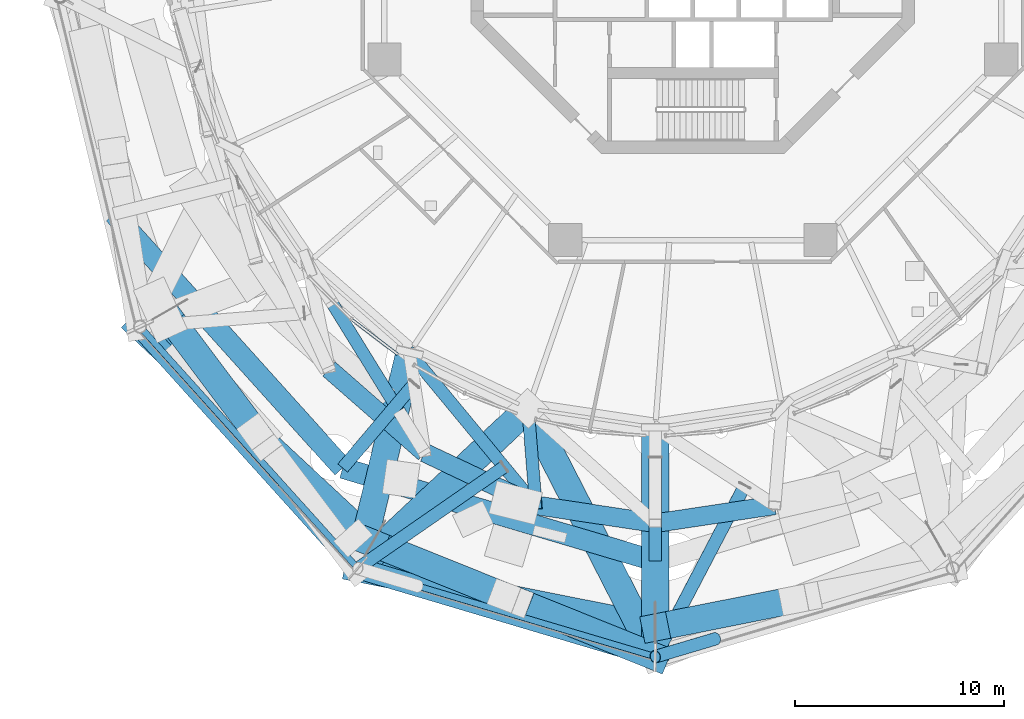
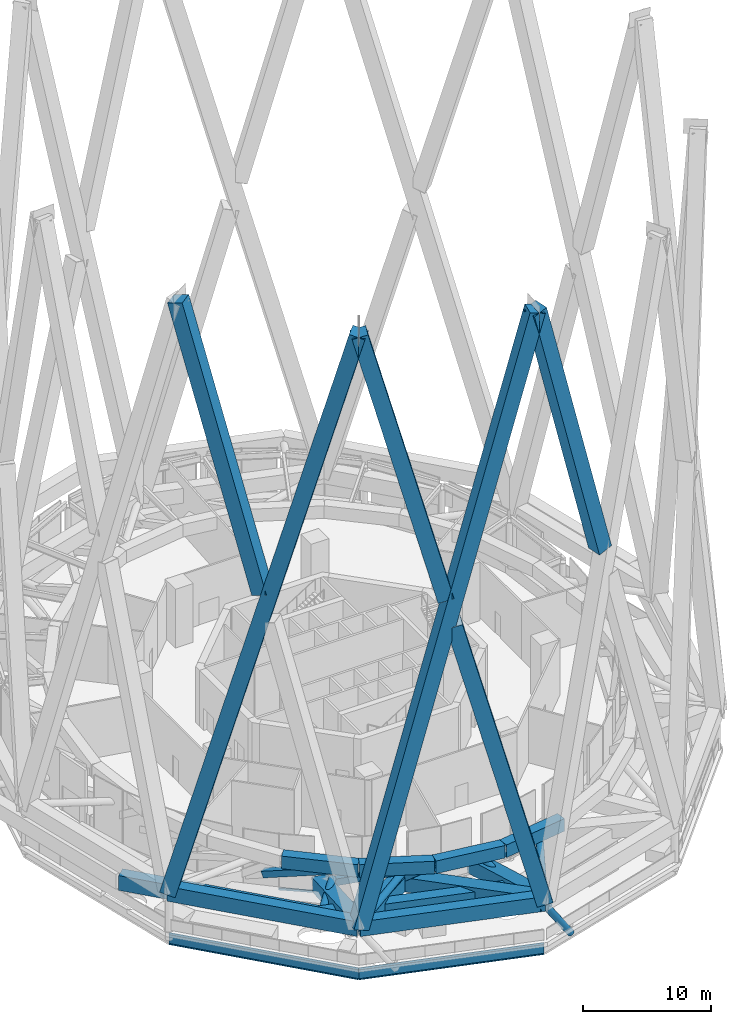
# One storey, part 2 of 48: 20 members, 9 beams, 1 element without a shape of its own.
"""IFC4 building model written with IfcOpenShell, lengths in metres."""

from ifc_helpers import new_model, si_unit, direction, frame, origin, origin_2d, place, context, subcontext, project, spatial, rectangle, hollow_rectangle, hollow_circle, i_section, extrude, material, layer, layer_set, material_profile, profile_set, type_object, element, aggregate, save


model = new_model("IFC4")

# Units and contexts
model_context = context("Model", 3, precision=1e-05, world=origin(), true_north=direction((0.0, 1.0)))
body_context = subcontext(model_context, "Body", "Model", "MODEL_VIEW")
ifc_project = project(units=[si_unit("LENGTHUNIT", "METRE"), si_unit("AREAUNIT", "SQUARE_METRE"), si_unit("VOLUMEUNIT", "CUBIC_METRE"), si_unit("PLANEANGLEUNIT", "RADIAN"), si_unit("MASSUNIT", "GRAM", prefix="KILO")], contexts=[model_context])

# Site, building, storey
site_placement = place(None, origin())
site = spatial("IfcSite", under=ifc_project, at=site_placement, CompositionType="ELEMENT")
building_placement = place(site_placement, origin())
building = spatial("IfcBuilding", under=site, at=building_placement, Name="Nagisa Residences", CompositionType="ELEMENT")
storey_placement = place(building_placement, frame((0.0, 0.0, 252.89990234375)))
storey = spatial("IfcBuildingStorey", under=building, at=storey_placement, Name="L64", CompositionType="ELEMENT", Elevation=252.89990234375)

# Beams
ifc_material_1 = material(Name="Steel ASTM A572 Gr 50", Category="steel")
ifc_material_profile_1 = material_profile(ifc_material_1, hollow_rectangle(XDim=0.89990234375, YDim=1.199951171875, WallThickness=0.0400390625, at=origin_2d()), Name="BX 900x1200x40")
ifc_profile_set_1 = profile_set([ifc_material_profile_1], Name="Steel ASTM A572 Gr 50")
beam_type_1 = type_object("IfcBeamType", Name="Belt chord 5 BX 900x1200x40", PredefinedType="BEAM", material=ifc_profile_set_1)
beam_1_placement = place(storey_placement, frame((-17.441162109375, -20.965087890625, 4.739990234375), z_axis=(0.752368013949, -0.658743023938, 0.0), x_axis=(0.658743023938, 0.752368013949, 0.0)))
element("IfcBeam", 1, at=beam_1_placement, inside=storey, type_object=beam_type_1, Name="beam:L64:bt5t16", PredefinedType="BEAM", context=body_context, shape_type="SweptSolid", body=[
    extrude(hollow_rectangle(XDim=0.89990234375, YDim=1.199951171875, WallThickness=0.0400390625, at=origin_2d()), origin(), (0.0, 0.0, 1.0), 6.0888671875),
])
beam_2_placement = place(storey_placement, frame((-12.860107421875, -24.97607421875, 4.739990234375), z_axis=(0.904104817547, -0.427310752134, 0.0), x_axis=(0.427310752134, 0.904104817547, 0.0)))
element("IfcBeam", 2, at=beam_2_placement, inside=storey, type_object=beam_type_1, Name="beam:L64:bt5t17", PredefinedType="BEAM", context=body_context, shape_type="SweptSolid", body=[
    extrude(hollow_rectangle(XDim=0.89990234375, YDim=1.199951171875, WallThickness=0.0400390625, at=origin_2d()), origin(), (0.0, 0.0, 1.0), 5.90087890625),
])
for number, where, z_axis, x_axis, name in (
    (3, (-7.525146484375, -27.49755859375, 4.739990234375), (0.988902301615, -0.148567283948, 0.0), (0.148567283948, 0.988902301615, 0.0), "beam:L64:bt5t18"),
    (4, (-1.800048828125, -28.357666015625, 4.739990234375), (0.988902301615, 0.148567283948, 0.0), (-0.148567283948, 0.988902301615, 0.0), "beam:L64:bt5t19"),
):
    element("IfcBeam", number, at=place(storey_placement, frame(where, z_axis=z_axis, x_axis=x_axis)), inside=storey, type_object=beam_type_1, Name=name, PredefinedType="BEAM", context=body_context, shape_type="SweptSolid", body=[
        extrude(hollow_rectangle(XDim=0.89990234375, YDim=1.199951171875, WallThickness=0.0400390625, at=origin_2d()), origin(), (0.0, 0.0, 1.0), 5.789306640625),
    ])
ifc_material_2 = material(Name="Steel ASTM A572 Gr 50", Category="steel")
ifc_material_profile_2 = material_profile(ifc_material_2, hollow_rectangle(XDim=0.60009765625, YDim=0.60009765625, WallThickness=0.034912109375, at=origin_2d()), Name="BX 600x600x35")
ifc_profile_set_2 = profile_set([ifc_material_profile_2], Name="Steel ASTM A572 Gr 50")
beam_type_2 = type_object("IfcBeamType", Name="Belt diagonal 5 BX 600x600x35", PredefinedType="BEAM", material=ifc_profile_set_2)
beam_3_placement = place(storey_placement, frame((-17.288330078125, -17.804443359375, 1.47021484375), z_axis=(0.489826562539, -0.793259272015, 0.361676189421), x_axis=(0.850859227375, 0.52539373349, 0.0)))
element("IfcBeam", 5, at=beam_3_placement, inside=storey, type_object=beam_type_2, Name="beam:L64:bt5db16", PredefinedType="BEAM", context=body_context, shape_type="SweptSolid", body=[
    extrude(hollow_rectangle(XDim=0.60009765625, YDim=0.60009765625, WallThickness=0.034912109375, at=origin_2d()), origin(), (0.0, 0.0, 1.0), 6.635498046875),
])
beam_4_placement = place(storey_placement, frame((-13.5849609375, -20.169677734375, 0.60009765625), z_axis=(0.584303072687, -0.70657333414, 0.399179211295), x_axis=(0.770633875506, 0.637278141727, 0.0)))
element("IfcBeam", 6, at=beam_4_placement, inside=storey, type_object=beam_type_2, Name="beam:L64:bt5db17", PredefinedType="BEAM", context=body_context, shape_type="SweptSolid", body=[
    extrude(hollow_rectangle(XDim=0.60009765625, YDim=0.60009765625, WallThickness=0.034912109375, at=origin_2d()), origin(), (0.0, 0.0, 1.0), 10.37109375),
])
beam_5_placement = place(storey_placement, frame((-7.900390625, -22.85595703125, 0.60009765625), z_axis=(0.060223205926, -0.744934021511, 0.664414380536), x_axis=(0.99674808141, 0.080580780619, 0.0)))
element("IfcBeam", 7, at=beam_5_placement, inside=storey, type_object=beam_type_2, Name="beam:L64:bt5da18", PredefinedType="BEAM", context=body_context, shape_type="SweptSolid", body=[
    extrude(hollow_rectangle(XDim=0.60009765625, YDim=0.60009765625, WallThickness=0.034912109375, at=origin_2d()), origin(), (0.0, 0.0, 1.0), 6.23095703125),
])

# Curtain wall, member
ifc_material_3 = material(Name="Aluminium curtain wall system", Category="aluminium")
ifc_layer = layer(ifc_material_3, 0.159912109375)
ifc_layer_set = layer_set([ifc_layer], Name="CW2 CURTAIN WALL")
curtain_wall_type = type_object("IfcCurtainWallType", Name="CW2 CURTAIN WALL", PredefinedType="NOTDEFINED", material=ifc_layer_set)
curtain_wall_placement = place(storey_placement, origin())
curtain_wall = element("IfcCurtainWall", 8, at=curtain_wall_placement, inside=storey, type_object=curtain_wall_type, Name="cw:CW2:L64:31", PredefinedType="NOTDEFINED")
ifc_material_4 = material(Name="Aluminium", Category="aluminium")
ifc_material_profile_3 = material_profile(ifc_material_4, rectangle(XDim=0.139892578125, YDim=0.179931640625, at=origin_2d()), Name="CW2 TRANSOM 140x180")
ifc_profile_set_3 = profile_set([ifc_material_profile_3], Name="Aluminium")
member_type_1 = type_object("IfcMemberType", Name="CW2 TRANSOM 140x180", PredefinedType="USERDEFINED", material=ifc_profile_set_3)
member_1_placement = place(storey_placement, frame((-16.404541015625, -18.548583984375, 0.090087890625), z_axis=(0.796061088035, -0.605216278793, 0.0), x_axis=(0.605216278793, 0.796061088035, 0.0)))
member_1 = element("IfcMember", 9, at=member_1_placement, type_object=member_type_1, Name="CW2 transom", ObjectType="TRANSOM", PredefinedType="USERDEFINED", context=body_context, shape_type="SweptSolid", body=[
    extrude(rectangle(XDim=0.139892578125, YDim=0.179931640625, at=origin_2d()), origin(), (0.0, 0.0, 1.0), 2.838623046875),
])
aggregate(curtain_wall, [member_1])

# Members
ifc_material_5 = material(Name="Concrete C80", Category="concrete")
ifc_material_profile_4 = material_profile(ifc_material_5, rectangle(XDim=1.300048828125, YDim=1.300048828125, at=origin_2d()), Name="C80 1300x1300")
ifc_profile_set_4 = profile_set([ifc_material_profile_4], Name="Concrete C80")
member_type_2 = type_object("IfcMemberType", Name="Cage bracket 6 C80 1300x1300", PredefinedType="BRACE", material=ifc_profile_set_4)
member_2_placement = place(storey_placement, frame((-16.06005859375, -30.518798828125, 3.7001953125), z_axis=(0.223316405929, 0.933752460773, -0.279707212713), x_axis=(-0.972572347723, 0.232600577052, 0.0)))
element("IfcMember", 10, at=member_2_placement, inside=storey, type_object=member_type_2, Name="mem:L64:cg5ob03", PredefinedType="BRACE", context=body_context, shape_type="SweptSolid", body=[
    extrude(rectangle(XDim=1.300048828125, YDim=1.300048828125, at=origin_2d()), origin(), (0.0, 0.0, 1.0), 11.083251953125),
])
member_3_placement = place(storey_placement, frame((-16.06005859375, -30.518798828125, 3.7001953125), z_axis=(0.702506790342, 0.659732530323, -0.2669029748), x_axis=(-0.684566263154, 0.728950637115, 0.0)))
element("IfcMember", 11, at=member_3_placement, inside=storey, type_object=member_type_2, Name="mem:L64:cg5ob04", PredefinedType="BRACE", context=body_context, shape_type="SweptSolid", body=[
    extrude(rectangle(XDim=1.300048828125, YDim=1.300048828125, at=origin_2d()), origin(), (0.0, 0.0, 1.0), 11.614990234375),
])
member_4_placement = place(storey_placement, frame((-1.800048828125, -34.7578125, 3.7001953125), z_axis=(0.0, 0.962413129864, -0.271589704269), x_axis=(-1.0, 0.0, 0.0)))
element("IfcMember", 12, at=member_4_placement, inside=storey, type_object=member_type_2, Name="mem:L64:cg5ob05", PredefinedType="BRACE", context=body_context, shape_type="SweptSolid", body=[
    extrude(rectangle(XDim=1.300048828125, YDim=1.300048828125, at=origin_2d()), origin(), (0.0, 0.0, 1.0), 11.41455078125),
])
member_5_placement = place(storey_placement, frame((-1.800048828125, -34.7578125, 3.7001953125), z_axis=(-0.444347513768, 0.866928454643, -0.225810410606), x_axis=(-0.889913800117, -0.456128740995, 0.0)))
element("IfcMember", 13, at=member_5_placement, inside=storey, type_object=member_type_2, Name="mem:L64:cg5ob06", PredefinedType="BRACE", context=body_context, shape_type="SweptSolid", body=[
    extrude(rectangle(XDim=1.300048828125, YDim=1.300048828125, at=origin_2d()), origin(), (0.0, 0.0, 1.0), 13.728759765625),
])
ifc_material_6 = material(Name="Concrete C80", Category="concrete")
ifc_material_profile_5 = material_profile(ifc_material_6, rectangle(XDim=1.300048828125, YDim=1.300048828125, at=origin_2d()), Name="C80 1300x1300")
ifc_profile_set_5 = profile_set([ifc_material_profile_5], Name="Concrete C80")
member_type_3 = type_object("IfcMemberType", Name="Cage diagonal 6 C80 1300x1300", PredefinedType="BRACE", material=ifc_profile_set_5)
member_6_placement = place(storey_placement, frame((-26.4990234375, -18.937744140625, 3.7001953125), z_axis=(0.193233516148, -0.179871286155, 0.964524301744), x_axis=(0.681345922358, 0.73196156599, 0.0)))
element("IfcMember", 14, at=member_6_placement, inside=storey, type_object=member_type_3, Name="mem:L64:cg6d015", PredefinedType="BRACE", context=body_context, shape_type="SweptSolid", body=[
    extrude(rectangle(XDim=1.300048828125, YDim=1.300048828125, at=origin_2d()), origin(), (0.0, 0.0, 1.0), 57.644775390625),
])
member_7_placement = place(storey_placement, frame((-20.983642578125, -23.965087890625, 33.370849609375), z_axis=(-0.159958610948, 0.21290604563, 0.963890169323), x_axis=(-0.799496689257, -0.600670495253, 0.0)))
element("IfcMember", 15, at=member_7_placement, inside=storey, type_object=member_type_3, Name="mem:L64:cg6d016b", PredefinedType="BRACE", context=body_context, shape_type="SweptSolid", body=[
    extrude(rectangle(XDim=1.300048828125, YDim=1.300048828125, at=origin_2d()), origin(), (0.0, 0.0, 1.0), 26.900634765625),
])
member_8_placement = place(storey_placement, frame((-16.06005859375, -30.518798828125, 3.7001953125), z_axis=(0.248131512366, -0.049397750788, 0.967466079399), x_axis=(0.195247439324, 0.980754014745, 0.0)))
element("IfcMember", 16, at=member_8_placement, inside=storey, type_object=member_type_3, Name="mem:L64:cg6d017", PredefinedType="BRACE", context=body_context, shape_type="SweptSolid", body=[
    extrude(rectangle(XDim=1.300048828125, YDim=1.300048828125, at=origin_2d()), origin(), (0.0, 0.0, 1.0), 57.469482421875),
])
member_9_placement = place(storey_placement, frame((-1.800048828125, -34.7578125, 3.7001953125), z_axis=(-0.23587387964, 0.094833475765, 0.96714534832), x_axis=(-0.373031073071, -0.927818850058, 0.0)))
element("IfcMember", 17, at=member_9_placement, inside=storey, type_object=member_type_3, Name="mem:L64:cg6d018a", PredefinedType="BRACE", context=body_context, shape_type="SweptSolid", body=[
    extrude(rectangle(XDim=1.300048828125, YDim=1.300048828125, at=origin_2d()), origin(), (0.0, 0.0, 1.0), 28.151123046875),
])
member_10_placement = place(storey_placement, frame((-9.05810546875, -31.83984375, 33.4609375), z_axis=(-0.235880648267, 0.094825610625, 0.967144468703), x_axis=(-0.372995225572, -0.927833261799, 0.0)))
element("IfcMember", 18, at=member_10_placement, inside=storey, type_object=member_type_3, Name="mem:L64:cg6d018b", PredefinedType="BRACE", context=body_context, shape_type="SweptSolid", body=[
    extrude(rectangle(XDim=1.300048828125, YDim=1.300048828125, at=origin_2d()), origin(), (0.0, 0.0, 1.0), 26.716796875),
])
member_11_placement = place(storey_placement, frame((4.826904296875, -32.038330078125, 33.46142578125), z_axis=(-0.248130611066, -0.049399418737, 0.967466225395), x_axis=(0.195254462845, -0.980752616483, 0.0)))
element("IfcMember", 19, at=member_11_placement, inside=storey, type_object=member_type_3, Name="mem:L64:cg6d020b", PredefinedType="BRACE", context=body_context, shape_type="SweptSolid", body=[
    extrude(rectangle(XDim=1.300048828125, YDim=1.300048828125, at=origin_2d()), origin(), (0.0, 0.0, 1.0), 26.70751953125),
])
ifc_material_7 = material(Name="Concrete C80", Category="concrete")
ifc_material_profile_6 = material_profile(ifc_material_7, rectangle(XDim=1.0, YDim=1.39990234375, at=origin_2d()), Name="C80 1000x1400")
ifc_profile_set_6 = profile_set([ifc_material_profile_6], Name="Concrete C80")
member_type_4 = type_object("IfcMemberType", Name="Cage ring 5 C80 1000x1400", PredefinedType="CHORD", material=ifc_profile_set_6)
member_12_placement = place(storey_placement, frame((-27.7548828125, -13.52734375, 1.900146484375), z_axis=(0.669079899601, -0.743190478915, 0.0), x_axis=(0.743190478915, 0.669079899601, 0.0)))
element("IfcMember", 20, at=member_12_placement, inside=storey, type_object=member_type_4, Name="beam:L64:cg5r108", PredefinedType="CHORD", context=body_context, shape_type="SweptSolid", body=[
    extrude(rectangle(XDim=1.0, YDim=1.39990234375, at=origin_2d()), origin(), (0.0, 0.0, 1.0), 16.3955078125),
])
member_13_placement = place(storey_placement, frame((-16.784912109375, -25.71240234375, 1.900146484375), z_axis=(0.958448927225, -0.285264182648, 0.0), x_axis=(0.285264182648, 0.958448927225, 0.0)))
element("IfcMember", 21, at=member_13_placement, inside=storey, type_object=member_type_4, Name="beam:L64:cg5r109", PredefinedType="CHORD", context=body_context, shape_type="SweptSolid", body=[
    extrude(rectangle(XDim=1.0, YDim=1.39990234375, at=origin_2d()), origin(), (0.0, 0.0, 1.0), 15.634521484375),
])
ifc_material_8 = material(Name="Concrete C80", Category="concrete")
ifc_material_profile_7 = material_profile(ifc_material_8, rectangle(XDim=1.0, YDim=1.39990234375, at=origin_2d()), Name="C80 1000x1400")
ifc_profile_set_7 = profile_set([ifc_material_profile_7], Name="Concrete C80")
member_type_5 = type_object("IfcMemberType", Name="Cage ring 6 C80 1000x1400", PredefinedType="CHORD", material=ifc_profile_set_7)
member_14_placement = place(storey_placement, frame((-26.4990234375, -18.937744140625, 3.7001953125), z_axis=(0.66953205413, -0.742783163846, 0.0), x_axis=(0.742783163846, 0.66953205413, 0.0)))
element("IfcMember", 22, at=member_14_placement, inside=storey, type_object=member_type_5, Name="beam:L64:cg6r008", PredefinedType="CHORD", context=body_context, shape_type="SweptSolid", body=[
    extrude(rectangle(XDim=1.0, YDim=1.39990234375, at=origin_2d()), origin(), (0.0, 0.0, 1.0), 15.591552734375),
])
member_15_placement = place(storey_placement, frame((-16.06005859375, -30.518798828125, 3.7001953125), z_axis=(0.958544594373, -0.284942556663, 0.0), x_axis=(0.284942556663, 0.958544594373, 0.0)))
element("IfcMember", 23, at=member_15_placement, inside=storey, type_object=member_type_5, Name="beam:L64:cg6r009", PredefinedType="CHORD", context=body_context, shape_type="SweptSolid", body=[
    extrude(rectangle(XDim=1.0, YDim=1.39990234375, at=origin_2d()), origin(), (0.0, 0.0, 1.0), 14.876708984375),
])
ifc_material_9 = material(Name="Steel ASTM A572 Gr 65", Category="steel")
ifc_material_profile_8 = material_profile(ifc_material_9, hollow_circle(Radius=0.304931640625, WallThickness=0.02490234375, at=origin_2d()), Name="CHS 610x25")
ifc_profile_set_8 = profile_set([ifc_material_profile_8], Name="Steel ASTM A572 Gr 65")
member_type_6 = type_object("IfcMemberType", Name="Cage strut CHS 610x25", PredefinedType="STRUT", material=ifc_profile_set_8)
member_16_placement = place(storey_placement, frame((-16.784912109375, -25.71240234375, 1.900146484375), z_axis=(0.647545319668, 0.762026941109, 0.0), x_axis=(-0.762026941109, 0.647545319668, 0.0)))
element("IfcMember", 24, at=member_16_placement, inside=storey, type_object=member_type_6, Name="mem:L64:bt5st5a09", PredefinedType="STRUT", context=body_context, shape_type="SweptSolid", body=[
    extrude(hollow_circle(Radius=0.304931640625, WallThickness=0.02490234375, at=origin_2d()), origin(), (0.0, 0.0, 1.0), 5.29296875),
])
member_17_placement = place(storey_placement, frame((-1.800048828125, -30.17236328125, 1.900146484375), z_axis=(0.0, 1.0, 0.0), x_axis=(-1.0, 0.0, 0.0)))
element("IfcMember", 25, at=member_17_placement, inside=storey, type_object=member_type_6, Name="mem:L64:bt5st5a10", PredefinedType="STRUT", context=body_context, shape_type="SweptSolid", body=[
    extrude(hollow_circle(Radius=0.304931640625, WallThickness=0.02490234375, at=origin_2d()), origin(), (0.0, 0.0, 1.0), 4.960205078125),
])
member_18_placement = place(storey_placement, frame((-16.06005859375, -30.518798828125, 3.7001953125), z_axis=(0.821801639662, 0.569773696347, 0.0), x_axis=(-0.569773696347, 0.821801639662, 0.0)))
element("IfcMember", 26, at=member_18_placement, inside=storey, type_object=member_type_6, Name="mem:L64:bt5st6b09", PredefinedType="STRUT", context=body_context, shape_type="SweptSolid", body=[
    extrude(hollow_circle(Radius=0.304931640625, WallThickness=0.02490234375, at=origin_2d()), origin(), (0.0, 0.0, 1.0), 8.533203125),
])
member_19_placement = place(storey_placement, frame((-1.800048828125, -34.7578125, 3.7001953125), z_axis=(0.46347233806, 0.886111387949, 0.0), x_axis=(-0.886111387949, 0.46347233806, 0.0)))
element("IfcMember", 27, at=member_19_placement, inside=storey, type_object=member_type_6, Name="mem:L64:bt5st6b10", PredefinedType="STRUT", context=body_context, shape_type="SweptSolid", body=[
    extrude(hollow_circle(Radius=0.304931640625, WallThickness=0.02490234375, at=origin_2d()), origin(), (0.0, 0.0, 1.0), 9.24951171875),
])

# Beams
ifc_material_10 = material(Name="Steel ASTM A572 Gr 50", Category="steel")
ifc_material_profile_9 = material_profile(ifc_material_10, i_section(OverallWidth=0.300048828125, OverallDepth=0.97998046875, WebThickness=0.0166015625, FlangeThickness=0.02587890625, at=origin_2d()), Name="W1000x249")
ifc_profile_set_9 = profile_set([ifc_material_profile_9], Name="Steel ASTM A572 Gr 50")
beam_type_3 = type_object("IfcBeamType", Name="Deck edge beam W1000x249", PredefinedType="BEAM", material=ifc_profile_set_9)
beam_6_placement = place(storey_placement, frame((-26.4990234375, -18.937744140625, -0.889892578125), z_axis=(0.66953205413, -0.742783163846, 0.0), x_axis=(0.742783163846, 0.66953205413, 0.0)))
element("IfcBeam", 28, at=beam_6_placement, inside=storey, type_object=beam_type_3, Name="beam:L64:deckedge06", PredefinedType="BEAM", context=body_context, shape_type="SweptSolid", body=[
    extrude(i_section(OverallWidth=0.300048828125, OverallDepth=0.97998046875, WebThickness=0.0166015625, FlangeThickness=0.02587890625, at=origin_2d()), origin(), (0.0, 0.0, 1.0), 15.591552734375),
])
beam_7_placement = place(storey_placement, frame((-16.06005859375, -30.518798828125, -0.889892578125), z_axis=(0.958544594373, -0.284942556663, 0.0), x_axis=(0.284942556663, 0.958544594373, 0.0)))
element("IfcBeam", 29, at=beam_7_placement, inside=storey, type_object=beam_type_3, Name="beam:L64:deckedge07", PredefinedType="BEAM", context=body_context, shape_type="SweptSolid", body=[
    extrude(i_section(OverallWidth=0.300048828125, OverallDepth=0.97998046875, WebThickness=0.0166015625, FlangeThickness=0.02587890625, at=origin_2d()), origin(), (0.0, 0.0, 1.0), 14.876708984375),
])

# Member
ifc_material_11 = material(Name="Steel ASTM A572 Gr 65", Category="steel")
ifc_material_profile_10 = material_profile(ifc_material_11, hollow_circle(Radius=0.304931640625, WallThickness=0.02490234375, at=origin_2d()), Name="CHS 610x25")
ifc_profile_set_10 = profile_set([ifc_material_profile_10], Name="Steel ASTM A572 Gr 65")
member_type_7 = type_object("IfcMemberType", Name="Raked deck hanger CHS 610x25", PredefinedType="BRACE", material=ifc_profile_set_10)
member_20_placement = place(storey_placement, frame((-1.800048828125, -34.7578125, 3.35009765625), z_axis=(0.553657026175, 0.164607089368, -0.816313912351), x_axis=(-0.284980371856, 0.958533352397, 0.0)))
element("IfcMember", 30, at=member_20_placement, inside=storey, type_object=member_type_7, Name="mem:L64:deckhanger07", PredefinedType="BRACE", context=body_context, shape_type="SweptSolid", body=[
    extrude(hollow_circle(Radius=0.304931640625, WallThickness=0.02490234375, at=origin_2d()), origin(), (0.0, 0.0, 1.0), 5.194091796875),
])

save(model, "model.ifc")
